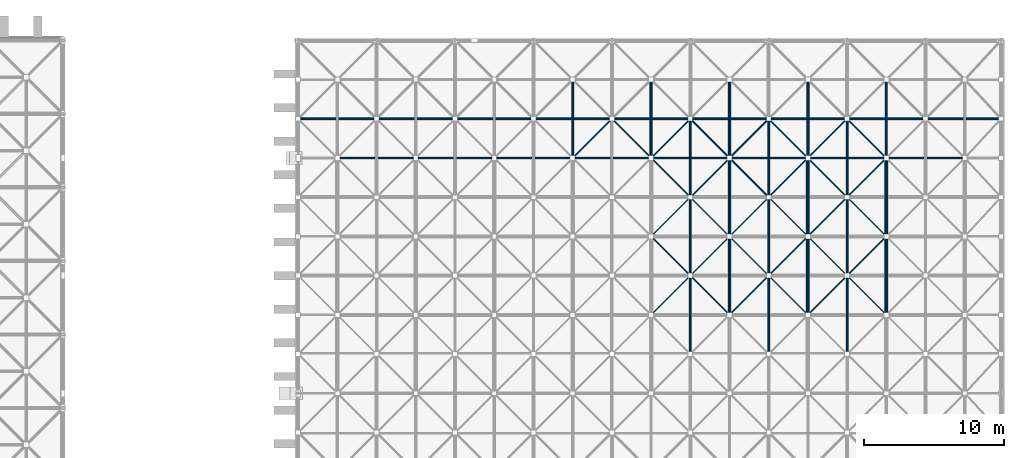
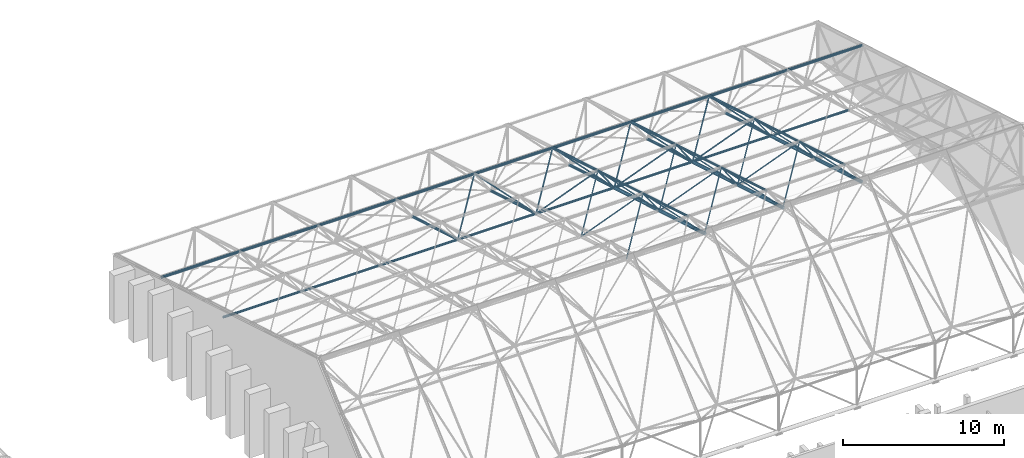
# One storey, part 37 of 100: 54 members.
"""IFC4 building model written with IfcOpenShell, lengths in metres."""

from ifc_helpers import new_model, si_unit, direction, frame, origin, origin_2d, place, context, subcontext, project, spatial, hollow_circle, extrude, material, material_profile, profile_set, type_object, element, save


model = new_model("IFC4")

# Units and contexts
model_context = context("Model", 3, precision=1e-05, world=origin(), true_north=direction((0.0, 1.0)))
body_context = subcontext(model_context, "Body", "Model", "MODEL_VIEW")
ifc_project = project(units=[si_unit("LENGTHUNIT", "METRE"), si_unit("AREAUNIT", "SQUARE_METRE"), si_unit("VOLUMEUNIT", "CUBIC_METRE"), si_unit("PLANEANGLEUNIT", "RADIAN"), si_unit("MASSUNIT", "GRAM", prefix="KILO")], contexts=[model_context])

# Site, building, storey
site_placement = place(None, origin())
site = spatial("IfcSite", under=ifc_project, at=site_placement, CompositionType="ELEMENT")
building_placement = place(site_placement, origin())
building = spatial("IfcBuilding", under=site, at=building_placement, Name="Kiln Court Media Centre", CompositionType="ELEMENT")
storey_placement = place(building_placement, frame((0.0, 0.0, 15.0)))
storey = spatial("IfcBuildingStorey", under=building, at=storey_placement, Name="L03", CompositionType="ELEMENT", Elevation=15.0)

# Members
ifc_material_1 = material(Name="Steel ASTM A500 Gr C", Category="steel")
ifc_material_profile_1 = material_profile(ifc_material_1, hollow_circle(Radius=0.05078125, WallThickness=0.0048828125, at=origin_2d()), Name="CHS 101.6x5.0")
ifc_profile_set_1 = profile_set([ifc_material_profile_1], Name="Steel ASTM A500 Gr C")
member_type_1 = type_object("IfcMemberType", Name="Steel ASTM A500 Gr C CHS 101.6x5.0 space frame brace", PredefinedType="BRACE", material=ifc_profile_set_1)
for number, where, z_axis, x_axis, name in (
    (1, (137.199951171875, 58.800048828125, 2.3701171875), (0.611675588557, 0.611675588557, 0.501703048353), (-0.707106781187, 0.707106781187, 0.0), "V2 roof diagonal 5-4 space frame brace"),
    (2, (142.800048828125, 58.800048828125, 2.3701171875), (-0.611675588557, 0.611675588557, 0.501703048353), (-0.707106781187, -0.707106781187, 0.0), "V2 roof diagonal 5-5 space frame brace"),
):
    element("IfcMember", number, at=place(storey_placement, frame(where, z_axis=z_axis, x_axis=x_axis)), inside=storey, type_object=member_type_1, Name=name, PredefinedType="BRACE", context=body_context, shape_type="SweptSolid", body=[
        extrude(hollow_circle(Radius=0.05078125, WallThickness=0.0048828125, at=origin_2d()), origin(), (0.0, 0.0, 1.0), 4.57763671875),
    ])
member_1_placement = place(storey_placement, frame((142.800048828125, 58.800048828125, 2.3701171875), z_axis=(0.499793739087, -0.499793739087, 0.707398357886), x_axis=(0.707106781187, 0.707106781187, 0.0)))
element("IfcMember", 3, at=member_1_placement, inside=storey, type_object=member_type_1, Name="V2 roof diagonal 5-5 space frame brace", PredefinedType="BRACE", context=body_context, shape_type="SweptSolid", body=[
    extrude(hollow_circle(Radius=0.05078125, WallThickness=0.0048828125, at=origin_2d()), origin(), (0.0, 0.0, 1.0), 5.602294921875),
])
member_2_placement = place(storey_placement, frame((142.800048828125, 58.800048828125, 2.3701171875), z_axis=(0.611675588557, 0.611675588557, 0.501703048353), x_axis=(-0.707106781187, 0.707106781187, 0.0)))
element("IfcMember", 4, at=member_2_placement, inside=storey, type_object=member_type_1, Name="V2 roof diagonal 5-5 space frame brace", PredefinedType="BRACE", context=body_context, shape_type="SweptSolid", body=[
    extrude(hollow_circle(Radius=0.05078125, WallThickness=0.0048828125, at=origin_2d()), origin(), (0.0, 0.0, 1.0), 4.57763671875),
])
member_3_placement = place(storey_placement, frame((148.39990234375, 58.800048828125, 2.3701171875), z_axis=(-0.499761045685, -0.49980462443, 0.70741376479), x_axis=(0.70713760873, -0.707075952299, 0.0)))
element("IfcMember", 5, at=member_3_placement, inside=storey, type_object=member_type_1, Name="V2 roof diagonal 5-6 space frame brace", PredefinedType="BRACE", context=body_context, shape_type="SweptSolid", body=[
    extrude(hollow_circle(Radius=0.05078125, WallThickness=0.0048828125, at=origin_2d()), origin(), (0.0, 0.0, 1.0), 5.602294921875),
])
member_4_placement = place(storey_placement, frame((148.39990234375, 58.800048828125, 2.3701171875), z_axis=(-0.611642208339, 0.611695543028, 0.501719415229), x_axis=(-0.70713760873, -0.707075952299, 0.0)))
element("IfcMember", 6, at=member_4_placement, inside=storey, type_object=member_type_1, Name="V2 roof diagonal 5-6 space frame brace", PredefinedType="BRACE", context=body_context, shape_type="SweptSolid", body=[
    extrude(hollow_circle(Radius=0.05078125, WallThickness=0.0048828125, at=origin_2d()), origin(), (0.0, 0.0, 1.0), 4.57763671875),
])
member_5_placement = place(storey_placement, frame((148.39990234375, 58.800048828125, 2.3701171875), z_axis=(0.499793739087, -0.499793739087, 0.707398357886), x_axis=(0.707106781187, 0.707106781187, 0.0)))
element("IfcMember", 7, at=member_5_placement, inside=storey, type_object=member_type_1, Name="V2 roof diagonal 5-6 space frame brace", PredefinedType="BRACE", context=body_context, shape_type="SweptSolid", body=[
    extrude(hollow_circle(Radius=0.05078125, WallThickness=0.0048828125, at=origin_2d()), origin(), (0.0, 0.0, 1.0), 5.602294921875),
])
member_6_placement = place(storey_placement, frame((148.39990234375, 58.800048828125, 2.3701171875), z_axis=(0.611675588557, 0.611675588557, 0.501703048353), x_axis=(-0.707106781187, 0.707106781187, 0.0)))
element("IfcMember", 8, at=member_6_placement, inside=storey, type_object=member_type_1, Name="V2 roof diagonal 5-6 space frame brace", PredefinedType="BRACE", context=body_context, shape_type="SweptSolid", body=[
    extrude(hollow_circle(Radius=0.05078125, WallThickness=0.0048828125, at=origin_2d()), origin(), (0.0, 0.0, 1.0), 4.57763671875),
])
member_7_placement = place(storey_placement, frame((154.0, 58.800048828125, 2.3701171875), z_axis=(-0.499793739087, -0.499793739087, 0.707398357886), x_axis=(0.707106781187, -0.707106781187, 0.0)))
element("IfcMember", 9, at=member_7_placement, inside=storey, type_object=member_type_1, Name="V2 roof diagonal 5-7 space frame brace", PredefinedType="BRACE", context=body_context, shape_type="SweptSolid", body=[
    extrude(hollow_circle(Radius=0.05078125, WallThickness=0.0048828125, at=origin_2d()), origin(), (0.0, 0.0, 1.0), 5.602294921875),
])
member_8_placement = place(storey_placement, frame((154.0, 58.800048828125, 2.3701171875), z_axis=(-0.611675588557, 0.611675588557, 0.501703048353), x_axis=(-0.707106781187, -0.707106781187, 0.0)))
element("IfcMember", 10, at=member_8_placement, inside=storey, type_object=member_type_1, Name="V2 roof diagonal 5-7 space frame brace", PredefinedType="BRACE", context=body_context, shape_type="SweptSolid", body=[
    extrude(hollow_circle(Radius=0.05078125, WallThickness=0.0048828125, at=origin_2d()), origin(), (0.0, 0.0, 1.0), 4.57763671875),
])
member_9_placement = place(storey_placement, frame((154.0, 58.800048828125, 2.3701171875), z_axis=(0.499793739087, -0.499793739087, 0.707398357886), x_axis=(0.707106781187, 0.707106781187, 0.0)))
element("IfcMember", 11, at=member_9_placement, inside=storey, type_object=member_type_1, Name="V2 roof diagonal 5-7 space frame brace", PredefinedType="BRACE", context=body_context, shape_type="SweptSolid", body=[
    extrude(hollow_circle(Radius=0.05078125, WallThickness=0.0048828125, at=origin_2d()), origin(), (0.0, 0.0, 1.0), 5.602294921875),
])
member_10_placement = place(storey_placement, frame((154.0, 58.800048828125, 2.3701171875), z_axis=(0.611675588557, 0.611675588557, 0.501703048353), x_axis=(-0.707106781187, 0.707106781187, 0.0)))
element("IfcMember", 12, at=member_10_placement, inside=storey, type_object=member_type_1, Name="V2 roof diagonal 5-7 space frame brace", PredefinedType="BRACE", context=body_context, shape_type="SweptSolid", body=[
    extrude(hollow_circle(Radius=0.05078125, WallThickness=0.0048828125, at=origin_2d()), origin(), (0.0, 0.0, 1.0), 4.57763671875),
])
member_11_placement = place(storey_placement, frame((159.60009765625, 58.800048828125, 2.3701171875), z_axis=(-0.499793739087, -0.499793739087, 0.707398357886), x_axis=(0.707106781187, -0.707106781187, 0.0)))
element("IfcMember", 13, at=member_11_placement, inside=storey, type_object=member_type_1, Name="V2 roof diagonal 5-8 space frame brace", PredefinedType="BRACE", context=body_context, shape_type="SweptSolid", body=[
    extrude(hollow_circle(Radius=0.05078125, WallThickness=0.0048828125, at=origin_2d()), origin(), (0.0, 0.0, 1.0), 5.602294921875),
])
member_12_placement = place(storey_placement, frame((159.60009765625, 58.800048828125, 2.3701171875), z_axis=(-0.611675588557, 0.611675588557, 0.501703048353), x_axis=(-0.707106781187, -0.707106781187, 0.0)))
element("IfcMember", 14, at=member_12_placement, inside=storey, type_object=member_type_1, Name="V2 roof diagonal 5-8 space frame brace", PredefinedType="BRACE", context=body_context, shape_type="SweptSolid", body=[
    extrude(hollow_circle(Radius=0.05078125, WallThickness=0.0048828125, at=origin_2d()), origin(), (0.0, 0.0, 1.0), 4.57763671875),
])
ifc_material_2 = material(Name="Steel ASTM A500 Gr C", Category="steel")
ifc_material_profile_2 = material_profile(ifc_material_2, hollow_circle(Radius=0.084228515625, WallThickness=0.00634765625, at=origin_2d()), Name="CHS 168.3x6.3")
ifc_profile_set_2 = profile_set([ifc_material_profile_2], Name="Steel ASTM A500 Gr C")
member_type_2 = type_object("IfcMemberType", Name="Steel ASTM A500 Gr C CHS 168.3x6.3 space frame chord", PredefinedType="CHORD", material=ifc_profile_set_2)
member_13_placement = place(storey_placement, frame((145.60009765625, 44.800048828125, 9.666748046875), z_axis=(0.0, 0.958446230045, -0.285273244649), x_axis=(-1.0, 0.0, 0.0)))
element("IfcMember", 15, at=member_13_placement, inside=storey, type_object=member_type_2, Name="V2 roof top chord across line 6 space frame chord", PredefinedType="CHORD", context=body_context, shape_type="SweptSolid", body=[
    extrude(hollow_circle(Radius=0.084228515625, WallThickness=0.00634765625, at=origin_2d()), origin(), (0.0, 0.0, 1.0), 5.842529296875),
])
member_14_placement = place(storey_placement, frame((145.60009765625, 50.39990234375, 8.0), z_axis=(0.0, 0.958449630422, -0.285261819988), x_axis=(-1.0, 0.0, 0.0)))
element("IfcMember", 16, at=member_14_placement, inside=storey, type_object=member_type_2, Name="V2 roof top chord across line 6 space frame chord", PredefinedType="CHORD", context=body_context, shape_type="SweptSolid", body=[
    extrude(hollow_circle(Radius=0.084228515625, WallThickness=0.00634765625, at=origin_2d()), origin(), (0.0, 0.0, 1.0), 5.8427734375),
])
member_15_placement = place(storey_placement, frame((151.199951171875, 44.800048828125, 9.666748046875), z_axis=(0.0, 0.958446230045, -0.285273244649), x_axis=(-1.0, 0.0, 0.0)))
element("IfcMember", 17, at=member_15_placement, inside=storey, type_object=member_type_2, Name="V2 roof top chord across line 7 space frame chord", PredefinedType="CHORD", context=body_context, shape_type="SweptSolid", body=[
    extrude(hollow_circle(Radius=0.084228515625, WallThickness=0.00634765625, at=origin_2d()), origin(), (0.0, 0.0, 1.0), 5.842529296875),
])
member_16_placement = place(storey_placement, frame((151.199951171875, 50.39990234375, 8.0), z_axis=(0.0, 0.958449630422, -0.285261819988), x_axis=(-1.0, 0.0, 0.0)))
element("IfcMember", 18, at=member_16_placement, inside=storey, type_object=member_type_2, Name="V2 roof top chord across line 7 space frame chord", PredefinedType="CHORD", context=body_context, shape_type="SweptSolid", body=[
    extrude(hollow_circle(Radius=0.084228515625, WallThickness=0.00634765625, at=origin_2d()), origin(), (0.0, 0.0, 1.0), 5.8427734375),
])
member_17_placement = place(storey_placement, frame((156.800048828125, 44.800048828125, 9.666748046875), z_axis=(0.0, 0.958446230045, -0.285273244649), x_axis=(-1.0, 0.0, 0.0)))
element("IfcMember", 19, at=member_17_placement, inside=storey, type_object=member_type_2, Name="V2 roof top chord across line 8 space frame chord", PredefinedType="CHORD", context=body_context, shape_type="SweptSolid", body=[
    extrude(hollow_circle(Radius=0.084228515625, WallThickness=0.00634765625, at=origin_2d()), origin(), (0.0, 0.0, 1.0), 5.842529296875),
])
member_18_placement = place(storey_placement, frame((156.800048828125, 50.39990234375, 8.0), z_axis=(0.0, 0.958449630422, -0.285261819988), x_axis=(-1.0, 0.0, 0.0)))
element("IfcMember", 20, at=member_18_placement, inside=storey, type_object=member_type_2, Name="V2 roof top chord across line 8 space frame chord", PredefinedType="CHORD", context=body_context, shape_type="SweptSolid", body=[
    extrude(hollow_circle(Radius=0.084228515625, WallThickness=0.00634765625, at=origin_2d()), origin(), (0.0, 0.0, 1.0), 5.8427734375),
])
member_19_placement = place(storey_placement, frame((120.39990234375, 58.800048828125, 2.3701171875), z_axis=(1.0, 0.0, 0.0), x_axis=(0.0, 1.0, 0.0)))
element("IfcMember", 21, at=member_19_placement, inside=storey, type_object=member_type_2, Name="V2 roof bottom chord along line 5 space frame chord", PredefinedType="CHORD", context=body_context, shape_type="SweptSolid", body=[
    extrude(hollow_circle(Radius=0.084228515625, WallThickness=0.00634765625, at=origin_2d()), origin(), (0.0, 0.0, 1.0), 44.800048828125),
])
ifc_material_3 = material(Name="Steel ASTM A500 Gr C", Category="steel")
ifc_material_profile_3 = material_profile(ifc_material_3, hollow_circle(Radius=0.096923828125, WallThickness=0.008056640625, at=origin_2d()), Name="CHS 193.7x8.0")
ifc_profile_set_3 = profile_set([ifc_material_profile_3], Name="Steel ASTM A500 Gr C")
member_type_3 = type_object("IfcMemberType", Name="Steel ASTM A500 Gr C CHS 193.7x8.0 space frame chord", PredefinedType="CHORD", material=ifc_profile_set_3)
member_20_placement = place(storey_placement, frame((117.60009765625, 61.60009765625, 4.666748046875), z_axis=(1.0, 0.0, 0.0), x_axis=(0.0, 1.0, 0.0)))
element("IfcMember", 22, at=member_20_placement, inside=storey, type_object=member_type_3, Name="V2 roof top chord along line 7 space frame chord", PredefinedType="CHORD", context=body_context, shape_type="SweptSolid", body=[
    extrude(hollow_circle(Radius=0.096923828125, WallThickness=0.008056640625, at=origin_2d()), origin(), (0.0, 0.0, 1.0), 50.1865234375),
])
for number, where, z_axis, x_axis, name in (
    (23, (145.60009765625, 56.0, 6.333251953125), (0.0, 0.958461054013, -0.285223435116), (-1.0, 0.0, 0.0), "V2 roof top chord across line 6 space frame chord"),
    (24, (151.199951171875, 56.0, 6.333251953125), (0.0, 0.958461054013, -0.285223435116), (-1.0, 0.0, 0.0), "V2 roof top chord across line 7 space frame chord"),
    (25, (156.800048828125, 56.0, 6.333251953125), (0.0, 0.958461054013, -0.285223435116), (-1.0, 0.0, 0.0), "V2 roof top chord across line 8 space frame chord"),
):
    element("IfcMember", number, at=place(storey_placement, frame(where, z_axis=z_axis, x_axis=x_axis)), inside=storey, type_object=member_type_3, Name=name, PredefinedType="CHORD", context=body_context, shape_type="SweptSolid", body=[
        extrude(hollow_circle(Radius=0.096923828125, WallThickness=0.008056640625, at=origin_2d()), origin(), (0.0, 0.0, 1.0), 5.8427734375),
    ])
for number, where, z_axis, x_axis, name in (
    (26, (137.199951171875, 58.800048828125, 2.3701171875), (0.0, 0.958446230045, -0.285273244649), (-1.0, 0.0, 0.0), "V2 roof bottom chord across line 4 space frame chord"),
    (27, (142.800048828125, 58.800048828125, 2.3701171875), (0.0, 0.958446230045, -0.285273244649), (-1.0, 0.0, 0.0), "V2 roof bottom chord across line 5 space frame chord"),
    (28, (148.39990234375, 58.800048828125, 2.3701171875), (0.0, 0.958446230045, -0.285273244649), (-1.0, 0.0, 0.0), "V2 roof bottom chord across line 6 space frame chord"),
    (29, (154.0, 58.800048828125, 2.3701171875), (0.0, 0.958446230045, -0.285273244649), (-1.0, 0.0, 0.0), "V2 roof bottom chord across line 7 space frame chord"),
    (30, (159.60009765625, 58.800048828125, 2.3701171875), (0.0, 0.958446230045, -0.285273244649), (-1.0, 0.0, 0.0), "V2 roof bottom chord across line 8 space frame chord"),
):
    element("IfcMember", number, at=place(storey_placement, frame(where, z_axis=z_axis, x_axis=x_axis)), inside=storey, type_object=member_type_3, Name=name, PredefinedType="CHORD", context=body_context, shape_type="SweptSolid", body=[
        extrude(hollow_circle(Radius=0.096923828125, WallThickness=0.008056640625, at=origin_2d()), origin(), (0.0, 0.0, 1.0), 5.842529296875),
    ])
ifc_material_4 = material(Name="Steel ASTM A500 Gr C", Category="steel")
ifc_material_profile_4 = material_profile(ifc_material_4, hollow_circle(Radius=0.122314453125, WallThickness=0.010009765625, at=origin_2d()), Name="CHS 244.5x10.0")
ifc_profile_set_4 = profile_set([ifc_material_profile_4], Name="Steel ASTM A500 Gr C")
member_type_4 = type_object("IfcMemberType", Name="Steel ASTM A500 Gr C CHS 244.5x10.0 space frame chord", PredefinedType="CHORD", material=ifc_profile_set_4)
member_21_placement = place(storey_placement, frame((148.39990234375, 47.60009765625, 5.703369140625), z_axis=(0.0, 0.958446230045, -0.285273244649), x_axis=(-1.0, 0.0, 0.0)))
element("IfcMember", 31, at=member_21_placement, inside=storey, type_object=member_type_4, Name="V2 roof bottom chord across line 6 space frame chord", PredefinedType="CHORD", context=body_context, shape_type="SweptSolid", body=[
    extrude(hollow_circle(Radius=0.122314453125, WallThickness=0.010009765625, at=origin_2d()), origin(), (0.0, 0.0, 1.0), 5.842529296875),
])
member_22_placement = place(storey_placement, frame((148.39990234375, 53.199951171875, 4.03662109375), z_axis=(0.0, 0.958461054013, -0.285223435116), x_axis=(-1.0, 0.0, 0.0)))
element("IfcMember", 32, at=member_22_placement, inside=storey, type_object=member_type_4, Name="V2 roof bottom chord across line 6 space frame chord", PredefinedType="CHORD", context=body_context, shape_type="SweptSolid", body=[
    extrude(hollow_circle(Radius=0.122314453125, WallThickness=0.010009765625, at=origin_2d()), origin(), (0.0, 0.0, 1.0), 5.8427734375),
])
member_23_placement = place(storey_placement, frame((154.0, 47.60009765625, 5.703369140625), z_axis=(0.0, 0.958446230045, -0.285273244649), x_axis=(-1.0, 0.0, 0.0)))
element("IfcMember", 33, at=member_23_placement, inside=storey, type_object=member_type_4, Name="V2 roof bottom chord across line 7 space frame chord", PredefinedType="CHORD", context=body_context, shape_type="SweptSolid", body=[
    extrude(hollow_circle(Radius=0.122314453125, WallThickness=0.010009765625, at=origin_2d()), origin(), (0.0, 0.0, 1.0), 5.842529296875),
])
member_24_placement = place(storey_placement, frame((154.0, 53.199951171875, 4.03662109375), z_axis=(0.0, 0.958461054013, -0.285223435116), x_axis=(-1.0, 0.0, 0.0)))
element("IfcMember", 34, at=member_24_placement, inside=storey, type_object=member_type_4, Name="V2 roof bottom chord across line 7 space frame chord", PredefinedType="CHORD", context=body_context, shape_type="SweptSolid", body=[
    extrude(hollow_circle(Radius=0.122314453125, WallThickness=0.010009765625, at=origin_2d()), origin(), (0.0, 0.0, 1.0), 5.8427734375),
])
member_25_placement = place(storey_placement, frame((159.60009765625, 47.60009765625, 5.703369140625), z_axis=(0.0, 0.958446230045, -0.285273244649), x_axis=(-1.0, 0.0, 0.0)))
element("IfcMember", 35, at=member_25_placement, inside=storey, type_object=member_type_4, Name="V2 roof bottom chord across line 8 space frame chord", PredefinedType="CHORD", context=body_context, shape_type="SweptSolid", body=[
    extrude(hollow_circle(Radius=0.122314453125, WallThickness=0.010009765625, at=origin_2d()), origin(), (0.0, 0.0, 1.0), 5.842529296875),
])
member_26_placement = place(storey_placement, frame((159.60009765625, 53.199951171875, 4.03662109375), z_axis=(0.0, 0.958461054013, -0.285223435116), x_axis=(-1.0, 0.0, 0.0)))
element("IfcMember", 36, at=member_26_placement, inside=storey, type_object=member_type_4, Name="V2 roof bottom chord across line 8 space frame chord", PredefinedType="CHORD", context=body_context, shape_type="SweptSolid", body=[
    extrude(hollow_circle(Radius=0.122314453125, WallThickness=0.010009765625, at=origin_2d()), origin(), (0.0, 0.0, 1.0), 5.8427734375),
])
ifc_material_5 = material(Name="Steel ASTM A500 Gr C", Category="steel")
ifc_material_profile_5 = material_profile(ifc_material_5, hollow_circle(Radius=0.04443359375, WallThickness=0.00390625, at=origin_2d()), Name="CHS 88.9x4.0")
ifc_profile_set_5 = profile_set([ifc_material_profile_5], Name="Steel ASTM A500 Gr C")
member_type_5 = type_object("IfcMemberType", Name="Steel ASTM A500 Gr C CHS 88.9x4.0 space frame brace", PredefinedType="BRACE", material=ifc_profile_set_5)
member_27_placement = place(storey_placement, frame((142.800048828125, 47.60009765625, 5.703369140625), z_axis=(0.611695543028, 0.611642208339, 0.501719415229), x_axis=(-0.707075952299, 0.70713760873, 0.0)))
element("IfcMember", 37, at=member_27_placement, inside=storey, type_object=member_type_5, Name="V2 roof diagonal 3-5 space frame brace", PredefinedType="BRACE", context=body_context, shape_type="SweptSolid", body=[
    extrude(hollow_circle(Radius=0.04443359375, WallThickness=0.00390625, at=origin_2d()), origin(), (0.0, 0.0, 1.0), 4.57763671875),
])
member_28_placement = place(storey_placement, frame((148.39990234375, 47.60009765625, 5.703369140625), z_axis=(-0.611662163023, 0.611662163023, 0.501735783707), x_axis=(-0.707106781187, -0.707106781187, 0.0)))
element("IfcMember", 38, at=member_28_placement, inside=storey, type_object=member_type_5, Name="V2 roof diagonal 3-6 space frame brace", PredefinedType="BRACE", context=body_context, shape_type="SweptSolid", body=[
    extrude(hollow_circle(Radius=0.04443359375, WallThickness=0.00390625, at=origin_2d()), origin(), (0.0, 0.0, 1.0), 4.577392578125),
])
for number, where, z_axis, x_axis, name in (
    (39, (148.39990234375, 47.60009765625, 5.703369140625), (0.611695543028, 0.611642208339, 0.501719415229), (-0.707075952299, 0.70713760873, 0.0), "V2 roof diagonal 3-6 space frame brace"),
    (40, (154.0, 47.60009765625, 5.703369140625), (-0.611695543028, 0.611642208339, 0.501719415229), (-0.707075952299, -0.70713760873, 0.0), "V2 roof diagonal 3-7 space frame brace"),
    (41, (154.0, 47.60009765625, 5.703369140625), (0.611695543028, 0.611642208339, 0.501719415229), (-0.707075952299, 0.70713760873, 0.0), "V2 roof diagonal 3-7 space frame brace"),
    (42, (159.60009765625, 47.60009765625, 5.703369140625), (-0.611695543028, 0.611642208339, 0.501719415229), (-0.707075952299, -0.70713760873, 0.0), "V2 roof diagonal 3-8 space frame brace"),
):
    element("IfcMember", number, at=place(storey_placement, frame(where, z_axis=z_axis, x_axis=x_axis)), inside=storey, type_object=member_type_5, Name=name, PredefinedType="BRACE", context=body_context, shape_type="SweptSolid", body=[
        extrude(hollow_circle(Radius=0.04443359375, WallThickness=0.00390625, at=origin_2d()), origin(), (0.0, 0.0, 1.0), 4.57763671875),
    ])
member_29_placement = place(storey_placement, frame((142.800048828125, 53.199951171875, 4.03662109375), z_axis=(0.499778332252, -0.499778332252, 0.707420127804), x_axis=(0.707106781187, 0.707106781187, 0.0)))
element("IfcMember", 43, at=member_29_placement, inside=storey, type_object=member_type_5, Name="V2 roof diagonal 4-5 space frame brace", PredefinedType="BRACE", context=body_context, shape_type="SweptSolid", body=[
    extrude(hollow_circle(Radius=0.04443359375, WallThickness=0.00390625, at=origin_2d()), origin(), (0.0, 0.0, 1.0), 5.6025390625),
])
member_30_placement = place(storey_placement, frame((142.800048828125, 53.199951171875, 4.03662109375), z_axis=(0.611675588557, 0.611675588557, 0.501703048353), x_axis=(-0.707106781187, 0.707106781187, 0.0)))
element("IfcMember", 44, at=member_30_placement, inside=storey, type_object=member_type_5, Name="V2 roof diagonal 4-5 space frame brace", PredefinedType="BRACE", context=body_context, shape_type="SweptSolid", body=[
    extrude(hollow_circle(Radius=0.04443359375, WallThickness=0.00390625, at=origin_2d()), origin(), (0.0, 0.0, 1.0), 4.57763671875),
])
member_31_placement = place(storey_placement, frame((148.39990234375, 53.199951171875, 4.03662109375), z_axis=(-0.499745639188, -0.499789216589, 0.707435534232), x_axis=(0.70713760873, -0.707075952299, 0.0)))
element("IfcMember", 45, at=member_31_placement, inside=storey, type_object=member_type_5, Name="V2 roof diagonal 4-6 space frame brace", PredefinedType="BRACE", context=body_context, shape_type="SweptSolid", body=[
    extrude(hollow_circle(Radius=0.04443359375, WallThickness=0.00390625, at=origin_2d()), origin(), (0.0, 0.0, 1.0), 5.6025390625),
])
member_32_placement = place(storey_placement, frame((148.39990234375, 53.199951171875, 4.03662109375), z_axis=(-0.611642208339, 0.611695543028, 0.501719415229), x_axis=(-0.70713760873, -0.707075952299, 0.0)))
element("IfcMember", 46, at=member_32_placement, inside=storey, type_object=member_type_5, Name="V2 roof diagonal 4-6 space frame brace", PredefinedType="BRACE", context=body_context, shape_type="SweptSolid", body=[
    extrude(hollow_circle(Radius=0.04443359375, WallThickness=0.00390625, at=origin_2d()), origin(), (0.0, 0.0, 1.0), 4.57763671875),
])
member_33_placement = place(storey_placement, frame((148.39990234375, 53.199951171875, 4.03662109375), z_axis=(0.499778332252, -0.499778332252, 0.707420127804), x_axis=(0.707106781187, 0.707106781187, 0.0)))
element("IfcMember", 47, at=member_33_placement, inside=storey, type_object=member_type_5, Name="V2 roof diagonal 4-6 space frame brace", PredefinedType="BRACE", context=body_context, shape_type="SweptSolid", body=[
    extrude(hollow_circle(Radius=0.04443359375, WallThickness=0.00390625, at=origin_2d()), origin(), (0.0, 0.0, 1.0), 5.6025390625),
])
member_34_placement = place(storey_placement, frame((148.39990234375, 53.199951171875, 4.03662109375), z_axis=(0.611675588557, 0.611675588557, 0.501703048353), x_axis=(-0.707106781187, 0.707106781187, 0.0)))
element("IfcMember", 48, at=member_34_placement, inside=storey, type_object=member_type_5, Name="V2 roof diagonal 4-6 space frame brace", PredefinedType="BRACE", context=body_context, shape_type="SweptSolid", body=[
    extrude(hollow_circle(Radius=0.04443359375, WallThickness=0.00390625, at=origin_2d()), origin(), (0.0, 0.0, 1.0), 4.57763671875),
])
member_35_placement = place(storey_placement, frame((154.0, 53.199951171875, 4.03662109375), z_axis=(-0.499778332252, -0.499778332252, 0.707420127804), x_axis=(0.707106781187, -0.707106781187, 0.0)))
element("IfcMember", 49, at=member_35_placement, inside=storey, type_object=member_type_5, Name="V2 roof diagonal 4-7 space frame brace", PredefinedType="BRACE", context=body_context, shape_type="SweptSolid", body=[
    extrude(hollow_circle(Radius=0.04443359375, WallThickness=0.00390625, at=origin_2d()), origin(), (0.0, 0.0, 1.0), 5.6025390625),
])
member_36_placement = place(storey_placement, frame((154.0, 53.199951171875, 4.03662109375), z_axis=(-0.611675588557, 0.611675588557, 0.501703048353), x_axis=(-0.707106781187, -0.707106781187, 0.0)))
element("IfcMember", 50, at=member_36_placement, inside=storey, type_object=member_type_5, Name="V2 roof diagonal 4-7 space frame brace", PredefinedType="BRACE", context=body_context, shape_type="SweptSolid", body=[
    extrude(hollow_circle(Radius=0.04443359375, WallThickness=0.00390625, at=origin_2d()), origin(), (0.0, 0.0, 1.0), 4.57763671875),
])
member_37_placement = place(storey_placement, frame((154.0, 53.199951171875, 4.03662109375), z_axis=(0.499778332252, -0.499778332252, 0.707420127804), x_axis=(0.707106781187, 0.707106781187, 0.0)))
element("IfcMember", 51, at=member_37_placement, inside=storey, type_object=member_type_5, Name="V2 roof diagonal 4-7 space frame brace", PredefinedType="BRACE", context=body_context, shape_type="SweptSolid", body=[
    extrude(hollow_circle(Radius=0.04443359375, WallThickness=0.00390625, at=origin_2d()), origin(), (0.0, 0.0, 1.0), 5.6025390625),
])
member_38_placement = place(storey_placement, frame((154.0, 53.199951171875, 4.03662109375), z_axis=(0.611675588557, 0.611675588557, 0.501703048353), x_axis=(-0.707106781187, 0.707106781187, 0.0)))
element("IfcMember", 52, at=member_38_placement, inside=storey, type_object=member_type_5, Name="V2 roof diagonal 4-7 space frame brace", PredefinedType="BRACE", context=body_context, shape_type="SweptSolid", body=[
    extrude(hollow_circle(Radius=0.04443359375, WallThickness=0.00390625, at=origin_2d()), origin(), (0.0, 0.0, 1.0), 4.57763671875),
])
member_39_placement = place(storey_placement, frame((159.60009765625, 53.199951171875, 4.03662109375), z_axis=(-0.499778332252, -0.499778332252, 0.707420127804), x_axis=(0.707106781187, -0.707106781187, 0.0)))
element("IfcMember", 53, at=member_39_placement, inside=storey, type_object=member_type_5, Name="V2 roof diagonal 4-8 space frame brace", PredefinedType="BRACE", context=body_context, shape_type="SweptSolid", body=[
    extrude(hollow_circle(Radius=0.04443359375, WallThickness=0.00390625, at=origin_2d()), origin(), (0.0, 0.0, 1.0), 5.6025390625),
])
member_40_placement = place(storey_placement, frame((159.60009765625, 53.199951171875, 4.03662109375), z_axis=(-0.611675588557, 0.611675588557, 0.501703048353), x_axis=(-0.707106781187, -0.707106781187, 0.0)))
element("IfcMember", 54, at=member_40_placement, inside=storey, type_object=member_type_5, Name="V2 roof diagonal 4-8 space frame brace", PredefinedType="BRACE", context=body_context, shape_type="SweptSolid", body=[
    extrude(hollow_circle(Radius=0.04443359375, WallThickness=0.00390625, at=origin_2d()), origin(), (0.0, 0.0, 1.0), 4.57763671875),
])

save(model, "model.ifc")
